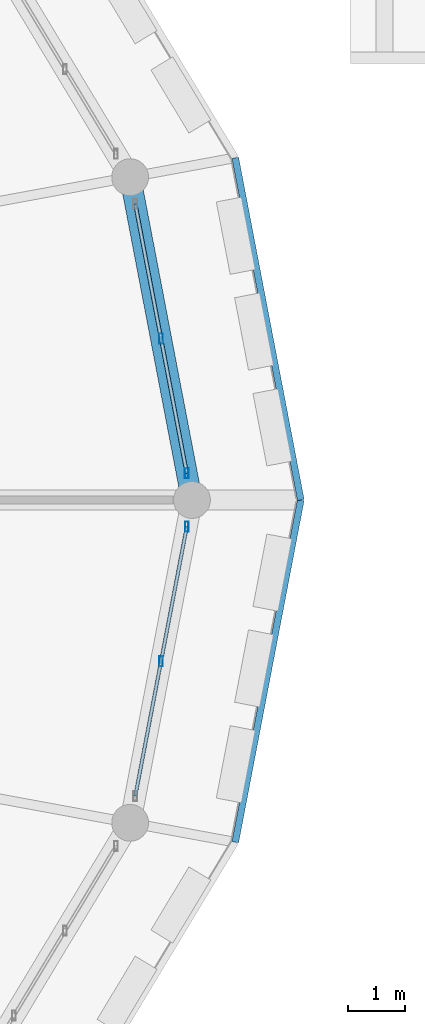
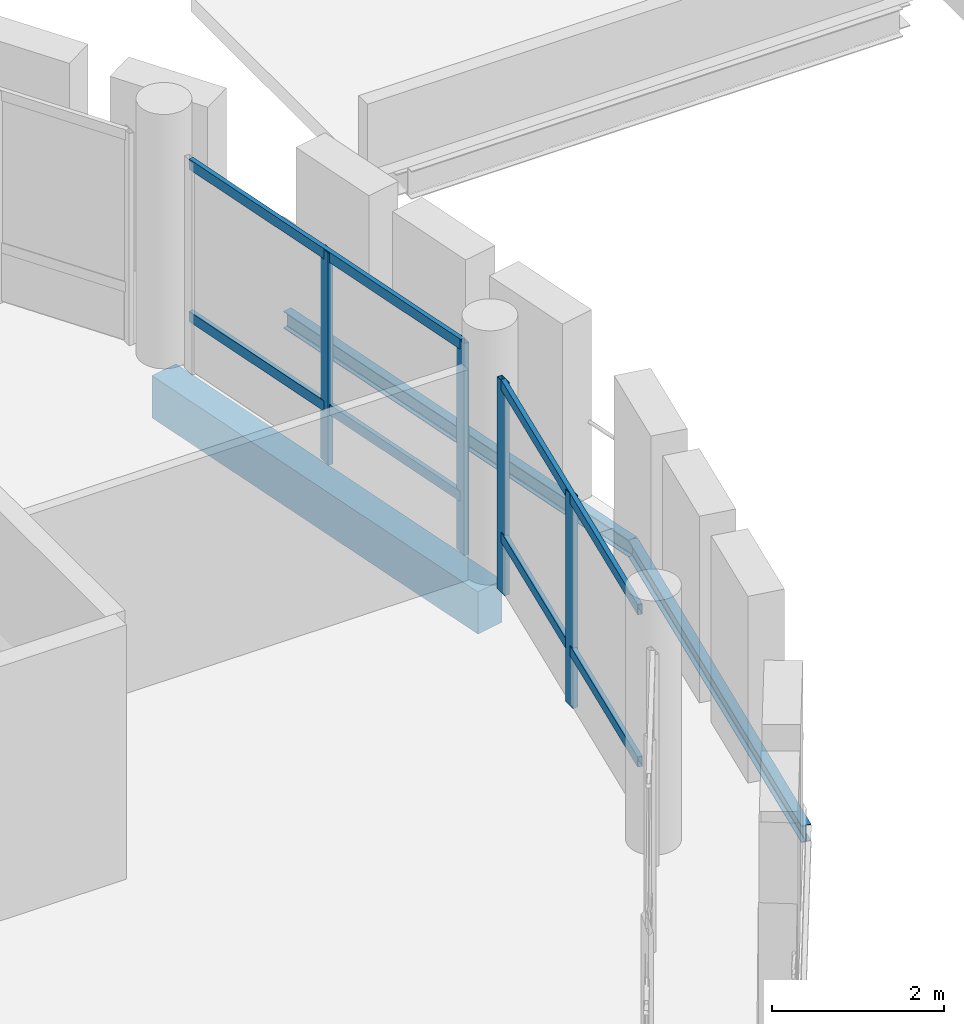
# One storey, part 35 of 93: 8 members, 3 beams, 2 elements without a shape of their own.
"""IFC4 building model written with IfcOpenShell, lengths in metres."""

from ifc_helpers import new_model, si_unit, direction, frame, origin, origin_2d, place, context, subcontext, project, spatial, rectangle, hollow_rectangle, i_section, extrude, material, material_profile, profile_set, type_object, element, aggregate, save


model = new_model("IFC4")

# Units and contexts
model_context = context("Model", 3, precision=1e-05, world=origin(), true_north=direction((0.0, 1.0)))
body_context = subcontext(model_context, "Body", "Model", "MODEL_VIEW")
ifc_project = project(units=[si_unit("LENGTHUNIT", "METRE"), si_unit("AREAUNIT", "SQUARE_METRE"), si_unit("VOLUMEUNIT", "CUBIC_METRE"), si_unit("PLANEANGLEUNIT", "RADIAN"), si_unit("MASSUNIT", "GRAM", prefix="KILO")], contexts=[model_context])

# Site, building, storey
site_placement = place(None, origin())
site = spatial("IfcSite", under=ifc_project, at=site_placement, CompositionType="ELEMENT")
building_placement = place(site_placement, origin())
building = spatial("IfcBuilding", under=site, at=building_placement, Name="Zornivar Specialist Clinic", CompositionType="ELEMENT")
storey_placement = place(building_placement, frame((0.0, 0.0, 8.39990234375)))
storey = spatial("IfcBuildingStorey", under=building, at=storey_placement, Name="L02", CompositionType="ELEMENT", Elevation=8.39990234375)

# Beams
ifc_material_1 = material(Name="Concrete C30/37", Category="concrete")
ifc_material_profile_1 = material_profile(ifc_material_1, rectangle(XDim=0.3701171875, YDim=0.60009765625, at=origin_2d()), Name="RC 370x600")
ifc_profile_set_1 = profile_set([ifc_material_profile_1], Name="Concrete C30/37")
beam_type_1 = type_object("IfcBeamType", Name="BM-RC-SPANDREL-370x600", PredefinedType="SPANDREL", material=ifc_profile_set_1)
beam_1_placement = place(storey_placement, frame((125.60009765625, 57.60009765625, -0.539794921875), z_axis=(-0.188035104441, 0.982162308123, 0.0), x_axis=(-0.982162308123, -0.188035104441, 0.0)))
element("IfcBeam", 1, at=beam_1_placement, inside=storey, type_object=beam_type_1, Name="bm:V1:L02:outring:00", PredefinedType="SPANDREL", context=body_context, shape_type="SweptSolid", body=[
    extrude(rectangle(XDim=0.3701171875, YDim=0.60009765625, at=origin_2d()), origin(), (0.0, 0.0, 1.0), 5.79736328125),
])
ifc_material_2 = material(Name="Steel S355J2", Category="steel")
ifc_material_profile_2 = material_profile(ifc_material_2, i_section(OverallWidth=0.1201171875, OverallDepth=0.239990234375, WebThickness=0.006103515625, FlangeThickness=0.009765625, FilletRadius=0.014892578125, at=origin_2d()), Name="IPE 240")
ifc_profile_set_2 = profile_set([ifc_material_profile_2], Name="Steel S355J2")
beam_type_2 = type_object("IfcBeamType", Name="BM-STL-IPE240", PredefinedType="JOIST", material=ifc_profile_set_2)
beam_2_placement = place(storey_placement, frame((127.52001953125, 57.60009765625, -0.35986328125), z_axis=(-0.188103253611, 0.982149258505, 0.0), x_axis=(-0.982149258505, -0.188103253611, 0.0)))
element("IfcBeam", 2, at=beam_2_placement, inside=storey, type_object=beam_type_2, Name="bm:V1:L02:balring:00", PredefinedType="JOIST", context=body_context, shape_type="SweptSolid", body=[
    extrude(i_section(OverallWidth=0.1201171875, OverallDepth=0.239990234375, WebThickness=0.006103515625, FlangeThickness=0.009765625, FilletRadius=0.014892578125, at=origin_2d()), origin(), (0.0, 0.0, 1.0), 6.1455078125),
])
beam_3_placement = place(storey_placement, frame((126.364013671875, 51.56396484375, -0.35986328125), z_axis=(0.188095914668, 0.982150664046, 0.0), x_axis=(-0.982150664046, 0.188095914668, 0.0)))
element("IfcBeam", 3, at=beam_3_placement, inside=storey, type_object=beam_type_2, Name="bm:V1:L02:balring:23", PredefinedType="JOIST", context=body_context, shape_type="SweptSolid", body=[
    extrude(i_section(OverallWidth=0.1201171875, OverallDepth=0.239990234375, WebThickness=0.006103515625, FlangeThickness=0.009765625, FilletRadius=0.014892578125, at=origin_2d()), origin(), (0.0, 0.0, 1.0), 6.145751953125),
])

# Curtain wall, members
ifc_material_3 = material(Name="Aluminium and Low-E Glass Curtain Wall", Category="aluminium")
curtain_wall_type = type_object("IfcCurtainWallType", Name="CW-DRUM-FACET", PredefinedType="NOTDEFINED", material=ifc_material_3)
curtain_wall_1_placement = place(storey_placement, origin())
curtain_wall_1 = element("IfcCurtainWall", 4, at=curtain_wall_1_placement, inside=storey, type_object=curtain_wall_type, Name="cw:V1:L02:c00", PredefinedType="NOTDEFINED")
ifc_material_4 = material(Name="Aluminium AW-6060", Category="aluminium")
ifc_material_profile_3 = material_profile(ifc_material_4, hollow_rectangle(XDim=0.06494140625, YDim=0.175048828125, WallThickness=0.00439453125, at=origin_2d()), Name="ALU 65x175x4.5")
ifc_profile_set_3 = profile_set([ifc_material_profile_3], Name="Aluminium AW-6060")
member_type_1 = type_object("IfcMemberType", Name="CWM-MUL-175", PredefinedType="MULLION", material=ifc_profile_set_3)
member_1_placement = place(storey_placement, frame((125.509033203125, 58.071044921875, 0.0), z_axis=(0.0, 0.0, 1.0), x_axis=(1.0, 0.0, 0.0)))
member_1 = element("IfcMember", 5, at=member_1_placement, type_object=member_type_1, Name="cw:V1:L02:c00:mul:0", PredefinedType="MULLION", context=body_context, shape_type="SweptSolid", body=[
    extrude(hollow_rectangle(XDim=0.06494140625, YDim=0.175048828125, WallThickness=0.00439453125, at=origin_2d()), origin(), (0.0, 0.0, 1.0), 3.010009765625),
])
member_2_placement = place(storey_placement, frame((125.054931640625, 60.447021484375, 0.0), z_axis=(0.0, 0.0, 1.0), x_axis=(1.0, 0.0, 0.0)))
member_2 = element("IfcMember", 6, at=member_2_placement, type_object=member_type_1, Name="cw:V1:L02:c00:mul:1", PredefinedType="MULLION", context=body_context, shape_type="SweptSolid", body=[
    extrude(hollow_rectangle(XDim=0.06494140625, YDim=0.175048828125, WallThickness=0.00439453125, at=origin_2d()), origin(), (0.0, 0.0, 1.0), 3.010009765625),
])

curtain_wall_2_placement = place(storey_placement, origin())
curtain_wall_2 = element("IfcCurtainWall", 7, at=curtain_wall_2_placement, inside=storey, type_object=curtain_wall_type, Name="cw:V1:L02:c23", PredefinedType="NOTDEFINED")
member_3_placement = place(storey_placement, frame((125.054931640625, 54.7529296875, 0.0), z_axis=(0.0, 0.0, 1.0), x_axis=(1.0, 0.0, 0.0)))
member_3 = element("IfcMember", 8, at=member_3_placement, type_object=member_type_1, Name="cw:V1:L02:c23:mul:1", PredefinedType="MULLION", context=body_context, shape_type="SweptSolid", body=[
    extrude(hollow_rectangle(XDim=0.06494140625, YDim=0.175048828125, WallThickness=0.00439453125, at=origin_2d()), origin(), (0.0, 0.0, 1.0), 3.010009765625),
])
member_4_placement = place(storey_placement, frame((125.510009765625, 57.12890625, 0.0), z_axis=(0.0, 0.0, 1.0), x_axis=(1.0, 0.0, 0.0)))
member_4 = element("IfcMember", 9, at=member_4_placement, type_object=member_type_1, Name="cw:V1:L02:c23:mul:2", PredefinedType="MULLION", context=body_context, shape_type="SweptSolid", body=[
    extrude(hollow_rectangle(XDim=0.06494140625, YDim=0.175048828125, WallThickness=0.00439453125, at=origin_2d()), origin(), (0.0, 0.0, 1.0), 3.010009765625),
])

# Member
ifc_material_5 = material(Name="Aluminium AW-6060", Category="aluminium")
ifc_material_profile_4 = material_profile(ifc_material_5, hollow_rectangle(XDim=0.06005859375, YDim=0.14501953125, WallThickness=0.00390625, at=origin_2d()), Name="ALU 60x145x4")
ifc_profile_set_4 = profile_set([ifc_material_profile_4], Name="Aluminium AW-6060")
member_type_2 = type_object("IfcMemberType", Name="CWM-TRN-145", PredefinedType="USERDEFINED", material=ifc_profile_set_4)
member_5_placement = place(storey_placement, frame((125.509033203125, 58.071044921875, 0.783203125), z_axis=(-0.18767557324, 0.982231072207, 0.0), x_axis=(-0.982231072207, -0.18767557324, 0.0)))
member_5 = element("IfcMember", 10, at=member_5_placement, type_object=member_type_2, Name="cw:V1:L02:c00:trn:0", ObjectType="TRANSOM", PredefinedType="USERDEFINED", context=body_context, shape_type="SweptSolid", body=[
    extrude(hollow_rectangle(XDim=0.06005859375, YDim=0.14501953125, WallThickness=0.00390625, at=origin_2d()), origin(), (0.0, 0.0, 1.0), 4.837890625),
])

member_6_placement = place(storey_placement, frame((125.509033203125, 58.071044921875, 2.945068359375), z_axis=(-0.18767557324, 0.982231072207, 0.0), x_axis=(-0.982231072207, -0.18767557324, 0.0)))
member_6 = element("IfcMember", 11, at=member_6_placement, type_object=member_type_2, Name="cw:V1:L02:c00:trn:1", ObjectType="TRANSOM", PredefinedType="USERDEFINED", context=body_context, shape_type="SweptSolid", body=[
    extrude(hollow_rectangle(XDim=0.06005859375, YDim=0.14501953125, WallThickness=0.00390625, at=origin_2d()), origin(), (0.0, 0.0, 1.0), 4.837890625),
])

aggregate(curtain_wall_1, [member_1, member_2, member_5, member_6])

member_7_placement = place(storey_placement, frame((124.60107421875, 52.376953125, 0.783203125), z_axis=(0.18767557324, 0.982231072207, 0.0), x_axis=(-0.982231072207, 0.18767557324, 0.0)))
member_7 = element("IfcMember", 12, at=member_7_placement, type_object=member_type_2, Name="cw:V1:L02:c23:trn:0", ObjectType="TRANSOM", PredefinedType="USERDEFINED", context=body_context, shape_type="SweptSolid", body=[
    extrude(hollow_rectangle(XDim=0.06005859375, YDim=0.14501953125, WallThickness=0.00390625, at=origin_2d()), origin(), (0.0, 0.0, 1.0), 4.837890625),
])

member_8_placement = place(storey_placement, frame((124.60107421875, 52.376953125, 2.945068359375), z_axis=(0.18767557324, 0.982231072207, 0.0), x_axis=(-0.982231072207, 0.18767557324, 0.0)))
member_8 = element("IfcMember", 13, at=member_8_placement, type_object=member_type_2, Name="cw:V1:L02:c23:trn:1", ObjectType="TRANSOM", PredefinedType="USERDEFINED", context=body_context, shape_type="SweptSolid", body=[
    extrude(hollow_rectangle(XDim=0.06005859375, YDim=0.14501953125, WallThickness=0.00390625, at=origin_2d()), origin(), (0.0, 0.0, 1.0), 4.837890625),
])

aggregate(curtain_wall_2, [member_3, member_4, member_7, member_8])

save(model, "model.ifc")
